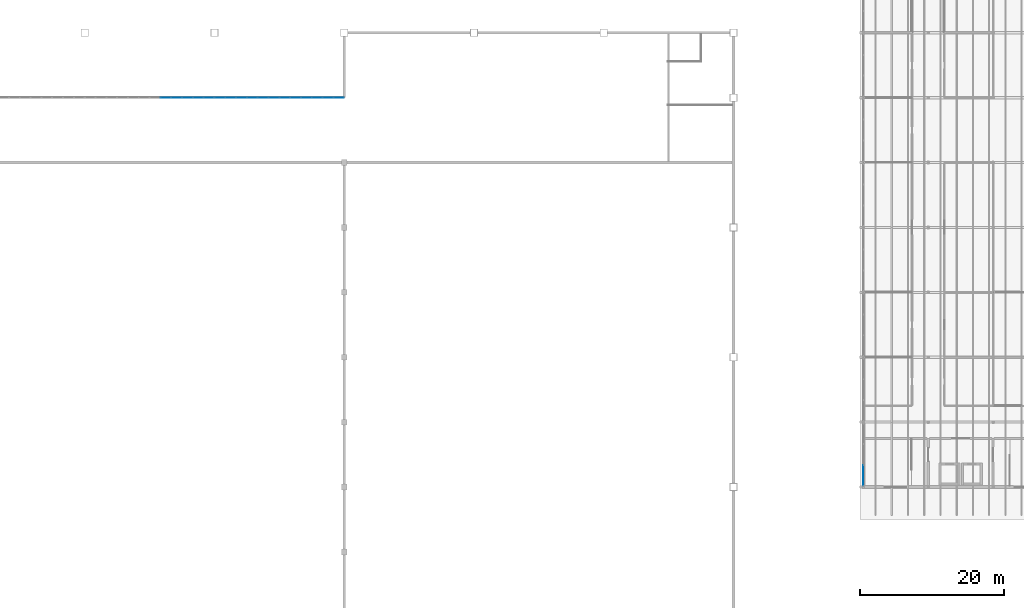
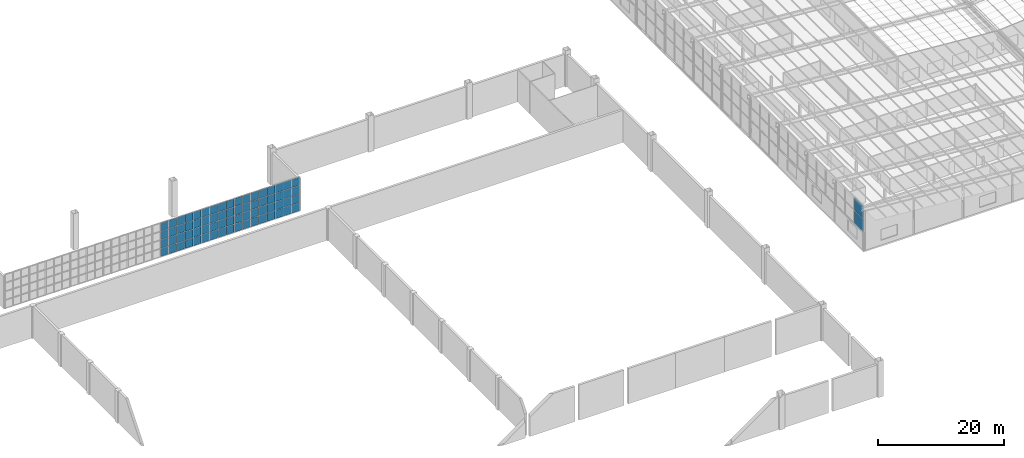
# One storey, part 65 of 85: 70 plates, 3 elements without a shape of their own.
"""IFC4 building model written with IfcOpenShell, lengths in metres."""

from ifc_helpers import new_model, si_unit, direction, frame, origin, origin_2d, place, context, subcontext, project, spatial, rectangle, extrude, material, layer, layer_set, type_object, element, aggregate, save


model = new_model("IFC4")

# Units and contexts
model_context = context("Model", 3, precision=1e-05, world=origin(), true_north=direction((0.0, 1.0)))
body_context = subcontext(model_context, "Body", "Model", "MODEL_VIEW")
ifc_project = project(units=[si_unit("LENGTHUNIT", "METRE"), si_unit("AREAUNIT", "SQUARE_METRE"), si_unit("VOLUMEUNIT", "CUBIC_METRE"), si_unit("PLANEANGLEUNIT", "RADIAN"), si_unit("MASSUNIT", "GRAM", prefix="KILO")], contexts=[model_context])

# Site, building, storey
site_placement = place(None, origin())
site = spatial("IfcSite", under=ifc_project, at=site_placement, CompositionType="ELEMENT")
building_placement = place(site_placement, origin())
building = spatial("IfcBuilding", under=site, at=building_placement, Name="Opaline Strait Convention Centre", CompositionType="ELEMENT")
storey_placement = place(building_placement, frame((0.0, 0.0, 17.0)))
storey = spatial("IfcBuildingStorey", under=building, at=storey_placement, Name="L03", CompositionType="ELEMENT", Elevation=17.0)

# Curtain wall, plates
ifc_material_1 = material(Name="Aluminium framed glazing", Category="aluminium")
ifc_layer_1 = layer(ifc_material_1, 0.199951171875)
ifc_layer_set_1 = layer_set([ifc_layer_1], Name="Aluminium framed glazing")
curtain_wall_type_1 = type_object("IfcCurtainWallType", Name="Entrance curtain wall 1500", PredefinedType="NOTDEFINED", material=ifc_layer_set_1)
curtain_wall_1_placement = place(storey_placement, origin())
curtain_wall_1 = element("IfcCurtainWall", 1, at=curtain_wall_1_placement, inside=storey, type_object=curtain_wall_type_1, Name="Entrance curtain wall L03-R2", PredefinedType="NOTDEFINED")
ifc_material_2 = material(Name="Double glazed unit low emissivity", Category="glass")
ifc_layer_2 = layer(ifc_material_2, 0.028076171875)
ifc_layer_set_2 = layer_set([ifc_layer_2], Name="Double glazed unit low emissivity")
plate_type = type_object("IfcPlateType", Name="Curtain wall glass panel 28", PredefinedType="CURTAIN_PANEL", material=ifc_layer_set_2)
plate_1_placement = place(storey_placement, frame((182.25, 144.0, 0.06005859375), z_axis=(0.0, 0.0, 1.0), x_axis=(1.0, 0.0, 0.0)))
plate_1 = element("IfcPlate", 2, at=plate_1_placement, type_object=plate_type, Name="XCW panel 8.1", PredefinedType="CURTAIN_PANEL", context=body_context, shape_type="SweptSolid", body=[
    extrude(rectangle(XDim=1.43994140625, YDim=0.028076171875, at=origin_2d()), origin(), (0.0, 0.0, 1.0), 1.570068359375),
])
plate_2_placement = place(storey_placement, frame((182.25, 144.0, 1.68994140625), z_axis=(0.0, 0.0, 1.0), x_axis=(1.0, 0.0, 0.0)))
plate_2 = element("IfcPlate", 3, at=plate_2_placement, type_object=plate_type, Name="XCW panel 8.2", PredefinedType="CURTAIN_PANEL", context=body_context, shape_type="SweptSolid", body=[
    extrude(rectangle(XDim=1.43994140625, YDim=0.028076171875, at=origin_2d()), origin(), (0.0, 0.0, 1.0), 1.60009765625),
])
plate_3_placement = place(storey_placement, frame((182.25, 144.0, 3.349853515625), z_axis=(0.0, 0.0, 1.0), x_axis=(1.0, 0.0, 0.0)))
plate_3 = element("IfcPlate", 4, at=plate_3_placement, type_object=plate_type, Name="XCW panel 8.3", PredefinedType="CURTAIN_PANEL", context=body_context, shape_type="SweptSolid", body=[
    extrude(rectangle(XDim=1.43994140625, YDim=0.028076171875, at=origin_2d()), origin(), (0.0, 0.0, 1.0), 1.60009765625),
])
plate_4_placement = place(storey_placement, frame((182.25, 144.0, 5.009765625), z_axis=(0.0, 0.0, 1.0), x_axis=(1.0, 0.0, 0.0)))
plate_4 = element("IfcPlate", 5, at=plate_4_placement, type_object=plate_type, Name="XCW panel 8.4", PredefinedType="CURTAIN_PANEL", context=body_context, shape_type="SweptSolid", body=[
    extrude(rectangle(XDim=1.43994140625, YDim=0.028076171875, at=origin_2d()), origin(), (0.0, 0.0, 1.0), 1.570068359375),
])
plate_5_placement = place(storey_placement, frame((183.75, 144.0, 0.06005859375), z_axis=(0.0, 0.0, 1.0), x_axis=(1.0, 0.0, 0.0)))
plate_5 = element("IfcPlate", 6, at=plate_5_placement, type_object=plate_type, Name="XCW panel 9.1", PredefinedType="CURTAIN_PANEL", context=body_context, shape_type="SweptSolid", body=[
    extrude(rectangle(XDim=1.43994140625, YDim=0.028076171875, at=origin_2d()), origin(), (0.0, 0.0, 1.0), 1.570068359375),
])
plate_6_placement = place(storey_placement, frame((183.75, 144.0, 1.68994140625), z_axis=(0.0, 0.0, 1.0), x_axis=(1.0, 0.0, 0.0)))
plate_6 = element("IfcPlate", 7, at=plate_6_placement, type_object=plate_type, Name="XCW panel 9.2", PredefinedType="CURTAIN_PANEL", context=body_context, shape_type="SweptSolid", body=[
    extrude(rectangle(XDim=1.43994140625, YDim=0.028076171875, at=origin_2d()), origin(), (0.0, 0.0, 1.0), 1.60009765625),
])
plate_7_placement = place(storey_placement, frame((183.75, 144.0, 3.349853515625), z_axis=(0.0, 0.0, 1.0), x_axis=(1.0, 0.0, 0.0)))
plate_7 = element("IfcPlate", 8, at=plate_7_placement, type_object=plate_type, Name="XCW panel 9.3", PredefinedType="CURTAIN_PANEL", context=body_context, shape_type="SweptSolid", body=[
    extrude(rectangle(XDim=1.43994140625, YDim=0.028076171875, at=origin_2d()), origin(), (0.0, 0.0, 1.0), 1.60009765625),
])
plate_8_placement = place(storey_placement, frame((183.75, 144.0, 5.009765625), z_axis=(0.0, 0.0, 1.0), x_axis=(1.0, 0.0, 0.0)))
plate_8 = element("IfcPlate", 9, at=plate_8_placement, type_object=plate_type, Name="XCW panel 9.4", PredefinedType="CURTAIN_PANEL", context=body_context, shape_type="SweptSolid", body=[
    extrude(rectangle(XDim=1.43994140625, YDim=0.028076171875, at=origin_2d()), origin(), (0.0, 0.0, 1.0), 1.570068359375),
])
plate_9_placement = place(storey_placement, frame((185.25, 144.0, 0.06005859375), z_axis=(0.0, 0.0, 1.0), x_axis=(1.0, 0.0, 0.0)))
plate_9 = element("IfcPlate", 10, at=plate_9_placement, type_object=plate_type, Name="XCW panel 10.1", PredefinedType="CURTAIN_PANEL", context=body_context, shape_type="SweptSolid", body=[
    extrude(rectangle(XDim=1.43994140625, YDim=0.028076171875, at=origin_2d()), origin(), (0.0, 0.0, 1.0), 1.570068359375),
])
plate_10_placement = place(storey_placement, frame((185.25, 144.0, 1.68994140625), z_axis=(0.0, 0.0, 1.0), x_axis=(1.0, 0.0, 0.0)))
plate_10 = element("IfcPlate", 11, at=plate_10_placement, type_object=plate_type, Name="XCW panel 10.2", PredefinedType="CURTAIN_PANEL", context=body_context, shape_type="SweptSolid", body=[
    extrude(rectangle(XDim=1.43994140625, YDim=0.028076171875, at=origin_2d()), origin(), (0.0, 0.0, 1.0), 1.60009765625),
])
plate_11_placement = place(storey_placement, frame((185.25, 144.0, 3.349853515625), z_axis=(0.0, 0.0, 1.0), x_axis=(1.0, 0.0, 0.0)))
plate_11 = element("IfcPlate", 12, at=plate_11_placement, type_object=plate_type, Name="XCW panel 10.3", PredefinedType="CURTAIN_PANEL", context=body_context, shape_type="SweptSolid", body=[
    extrude(rectangle(XDim=1.43994140625, YDim=0.028076171875, at=origin_2d()), origin(), (0.0, 0.0, 1.0), 1.60009765625),
])
plate_12_placement = place(storey_placement, frame((185.25, 144.0, 5.009765625), z_axis=(0.0, 0.0, 1.0), x_axis=(1.0, 0.0, 0.0)))
plate_12 = element("IfcPlate", 13, at=plate_12_placement, type_object=plate_type, Name="XCW panel 10.4", PredefinedType="CURTAIN_PANEL", context=body_context, shape_type="SweptSolid", body=[
    extrude(rectangle(XDim=1.43994140625, YDim=0.028076171875, at=origin_2d()), origin(), (0.0, 0.0, 1.0), 1.570068359375),
])
plate_13_placement = place(storey_placement, frame((186.75, 144.0, 0.06005859375), z_axis=(0.0, 0.0, 1.0), x_axis=(1.0, 0.0, 0.0)))
plate_13 = element("IfcPlate", 14, at=plate_13_placement, type_object=plate_type, Name="XCW panel 11.1", PredefinedType="CURTAIN_PANEL", context=body_context, shape_type="SweptSolid", body=[
    extrude(rectangle(XDim=1.43994140625, YDim=0.028076171875, at=origin_2d()), origin(), (0.0, 0.0, 1.0), 1.570068359375),
])
plate_14_placement = place(storey_placement, frame((186.75, 144.0, 1.68994140625), z_axis=(0.0, 0.0, 1.0), x_axis=(1.0, 0.0, 0.0)))
plate_14 = element("IfcPlate", 15, at=plate_14_placement, type_object=plate_type, Name="XCW panel 11.2", PredefinedType="CURTAIN_PANEL", context=body_context, shape_type="SweptSolid", body=[
    extrude(rectangle(XDim=1.43994140625, YDim=0.028076171875, at=origin_2d()), origin(), (0.0, 0.0, 1.0), 1.60009765625),
])
plate_15_placement = place(storey_placement, frame((186.75, 144.0, 3.349853515625), z_axis=(0.0, 0.0, 1.0), x_axis=(1.0, 0.0, 0.0)))
plate_15 = element("IfcPlate", 16, at=plate_15_placement, type_object=plate_type, Name="XCW panel 11.3", PredefinedType="CURTAIN_PANEL", context=body_context, shape_type="SweptSolid", body=[
    extrude(rectangle(XDim=1.43994140625, YDim=0.028076171875, at=origin_2d()), origin(), (0.0, 0.0, 1.0), 1.60009765625),
])
plate_16_placement = place(storey_placement, frame((186.75, 144.0, 5.009765625), z_axis=(0.0, 0.0, 1.0), x_axis=(1.0, 0.0, 0.0)))
plate_16 = element("IfcPlate", 17, at=plate_16_placement, type_object=plate_type, Name="XCW panel 11.4", PredefinedType="CURTAIN_PANEL", context=body_context, shape_type="SweptSolid", body=[
    extrude(rectangle(XDim=1.43994140625, YDim=0.028076171875, at=origin_2d()), origin(), (0.0, 0.0, 1.0), 1.570068359375),
])
plate_17_placement = place(storey_placement, frame((188.235107421875, 144.0, 0.06005859375), z_axis=(0.0, 0.0, 1.0), x_axis=(1.0, 0.0, 0.0)))
plate_17 = element("IfcPlate", 18, at=plate_17_placement, type_object=plate_type, Name="XCW panel 12.1", PredefinedType="CURTAIN_PANEL", context=body_context, shape_type="SweptSolid", body=[
    extrude(rectangle(XDim=1.409912109375, YDim=0.028076171875, at=origin_2d()), origin(), (0.0, 0.0, 1.0), 1.570068359375),
])
plate_18_placement = place(storey_placement, frame((188.235107421875, 144.0, 1.68994140625), z_axis=(0.0, 0.0, 1.0), x_axis=(1.0, 0.0, 0.0)))
plate_18 = element("IfcPlate", 19, at=plate_18_placement, type_object=plate_type, Name="XCW panel 12.2", PredefinedType="CURTAIN_PANEL", context=body_context, shape_type="SweptSolid", body=[
    extrude(rectangle(XDim=1.409912109375, YDim=0.028076171875, at=origin_2d()), origin(), (0.0, 0.0, 1.0), 1.60009765625),
])
plate_19_placement = place(storey_placement, frame((188.235107421875, 144.0, 3.349853515625), z_axis=(0.0, 0.0, 1.0), x_axis=(1.0, 0.0, 0.0)))
plate_19 = element("IfcPlate", 20, at=plate_19_placement, type_object=plate_type, Name="XCW panel 12.3", PredefinedType="CURTAIN_PANEL", context=body_context, shape_type="SweptSolid", body=[
    extrude(rectangle(XDim=1.409912109375, YDim=0.028076171875, at=origin_2d()), origin(), (0.0, 0.0, 1.0), 1.60009765625),
])
plate_20_placement = place(storey_placement, frame((188.235107421875, 144.0, 5.009765625), z_axis=(0.0, 0.0, 1.0), x_axis=(1.0, 0.0, 0.0)))
plate_20 = element("IfcPlate", 21, at=plate_20_placement, type_object=plate_type, Name="XCW panel 12.4", PredefinedType="CURTAIN_PANEL", context=body_context, shape_type="SweptSolid", body=[
    extrude(rectangle(XDim=1.409912109375, YDim=0.028076171875, at=origin_2d()), origin(), (0.0, 0.0, 1.0), 1.570068359375),
])
aggregate(curtain_wall_1, [plate_1, plate_2, plate_3, plate_4, plate_5, plate_6, plate_7, plate_8, plate_9, plate_10, plate_11, plate_12, plate_13, plate_14, plate_15, plate_16, plate_17, plate_18, plate_19, plate_20])

curtain_wall_2_placement = place(storey_placement, origin())
curtain_wall_2 = element("IfcCurtainWall", 22, at=curtain_wall_2_placement, inside=storey, type_object=curtain_wall_type_1, Name="Entrance curtain wall L03-R3", PredefinedType="NOTDEFINED")
plate_21_placement = place(storey_placement, frame((189.764892578125, 144.0, 0.06005859375), z_axis=(0.0, 0.0, 1.0), x_axis=(1.0, 0.0, 0.0)))
plate_21 = element("IfcPlate", 23, at=plate_21_placement, type_object=plate_type, Name="XCW panel 1.1", PredefinedType="CURTAIN_PANEL", context=body_context, shape_type="SweptSolid", body=[
    extrude(rectangle(XDim=1.409912109375, YDim=0.028076171875, at=origin_2d()), origin(), (0.0, 0.0, 1.0), 1.570068359375),
])
plate_22_placement = place(storey_placement, frame((189.764892578125, 144.0, 1.68994140625), z_axis=(0.0, 0.0, 1.0), x_axis=(1.0, 0.0, 0.0)))
plate_22 = element("IfcPlate", 24, at=plate_22_placement, type_object=plate_type, Name="XCW panel 1.2", PredefinedType="CURTAIN_PANEL", context=body_context, shape_type="SweptSolid", body=[
    extrude(rectangle(XDim=1.409912109375, YDim=0.028076171875, at=origin_2d()), origin(), (0.0, 0.0, 1.0), 1.60009765625),
])
plate_23_placement = place(storey_placement, frame((189.764892578125, 144.0, 3.349853515625), z_axis=(0.0, 0.0, 1.0), x_axis=(1.0, 0.0, 0.0)))
plate_23 = element("IfcPlate", 25, at=plate_23_placement, type_object=plate_type, Name="XCW panel 1.3", PredefinedType="CURTAIN_PANEL", context=body_context, shape_type="SweptSolid", body=[
    extrude(rectangle(XDim=1.409912109375, YDim=0.028076171875, at=origin_2d()), origin(), (0.0, 0.0, 1.0), 1.60009765625),
])
plate_24_placement = place(storey_placement, frame((189.764892578125, 144.0, 5.009765625), z_axis=(0.0, 0.0, 1.0), x_axis=(1.0, 0.0, 0.0)))
plate_24 = element("IfcPlate", 26, at=plate_24_placement, type_object=plate_type, Name="XCW panel 1.4", PredefinedType="CURTAIN_PANEL", context=body_context, shape_type="SweptSolid", body=[
    extrude(rectangle(XDim=1.409912109375, YDim=0.028076171875, at=origin_2d()), origin(), (0.0, 0.0, 1.0), 1.570068359375),
])
plate_25_placement = place(storey_placement, frame((191.25, 144.0, 0.06005859375), z_axis=(0.0, 0.0, 1.0), x_axis=(1.0, 0.0, 0.0)))
plate_25 = element("IfcPlate", 27, at=plate_25_placement, type_object=plate_type, Name="XCW panel 2.1", PredefinedType="CURTAIN_PANEL", context=body_context, shape_type="SweptSolid", body=[
    extrude(rectangle(XDim=1.43994140625, YDim=0.028076171875, at=origin_2d()), origin(), (0.0, 0.0, 1.0), 1.570068359375),
])
plate_26_placement = place(storey_placement, frame((191.25, 144.0, 1.68994140625), z_axis=(0.0, 0.0, 1.0), x_axis=(1.0, 0.0, 0.0)))
plate_26 = element("IfcPlate", 28, at=plate_26_placement, type_object=plate_type, Name="XCW panel 2.2", PredefinedType="CURTAIN_PANEL", context=body_context, shape_type="SweptSolid", body=[
    extrude(rectangle(XDim=1.43994140625, YDim=0.028076171875, at=origin_2d()), origin(), (0.0, 0.0, 1.0), 1.60009765625),
])
plate_27_placement = place(storey_placement, frame((191.25, 144.0, 3.349853515625), z_axis=(0.0, 0.0, 1.0), x_axis=(1.0, 0.0, 0.0)))
plate_27 = element("IfcPlate", 29, at=plate_27_placement, type_object=plate_type, Name="XCW panel 2.3", PredefinedType="CURTAIN_PANEL", context=body_context, shape_type="SweptSolid", body=[
    extrude(rectangle(XDim=1.43994140625, YDim=0.028076171875, at=origin_2d()), origin(), (0.0, 0.0, 1.0), 1.60009765625),
])
plate_28_placement = place(storey_placement, frame((191.25, 144.0, 5.009765625), z_axis=(0.0, 0.0, 1.0), x_axis=(1.0, 0.0, 0.0)))
plate_28 = element("IfcPlate", 30, at=plate_28_placement, type_object=plate_type, Name="XCW panel 2.4", PredefinedType="CURTAIN_PANEL", context=body_context, shape_type="SweptSolid", body=[
    extrude(rectangle(XDim=1.43994140625, YDim=0.028076171875, at=origin_2d()), origin(), (0.0, 0.0, 1.0), 1.570068359375),
])
plate_29_placement = place(storey_placement, frame((192.75, 144.0, 0.06005859375), z_axis=(0.0, 0.0, 1.0), x_axis=(1.0, 0.0, 0.0)))
plate_29 = element("IfcPlate", 31, at=plate_29_placement, type_object=plate_type, Name="XCW panel 3.1", PredefinedType="CURTAIN_PANEL", context=body_context, shape_type="SweptSolid", body=[
    extrude(rectangle(XDim=1.43994140625, YDim=0.028076171875, at=origin_2d()), origin(), (0.0, 0.0, 1.0), 1.570068359375),
])
plate_30_placement = place(storey_placement, frame((192.75, 144.0, 1.68994140625), z_axis=(0.0, 0.0, 1.0), x_axis=(1.0, 0.0, 0.0)))
plate_30 = element("IfcPlate", 32, at=plate_30_placement, type_object=plate_type, Name="XCW panel 3.2", PredefinedType="CURTAIN_PANEL", context=body_context, shape_type="SweptSolid", body=[
    extrude(rectangle(XDim=1.43994140625, YDim=0.028076171875, at=origin_2d()), origin(), (0.0, 0.0, 1.0), 1.60009765625),
])
plate_31_placement = place(storey_placement, frame((192.75, 144.0, 3.349853515625), z_axis=(0.0, 0.0, 1.0), x_axis=(1.0, 0.0, 0.0)))
plate_31 = element("IfcPlate", 33, at=plate_31_placement, type_object=plate_type, Name="XCW panel 3.3", PredefinedType="CURTAIN_PANEL", context=body_context, shape_type="SweptSolid", body=[
    extrude(rectangle(XDim=1.43994140625, YDim=0.028076171875, at=origin_2d()), origin(), (0.0, 0.0, 1.0), 1.60009765625),
])
plate_32_placement = place(storey_placement, frame((192.75, 144.0, 5.009765625), z_axis=(0.0, 0.0, 1.0), x_axis=(1.0, 0.0, 0.0)))
plate_32 = element("IfcPlate", 34, at=plate_32_placement, type_object=plate_type, Name="XCW panel 3.4", PredefinedType="CURTAIN_PANEL", context=body_context, shape_type="SweptSolid", body=[
    extrude(rectangle(XDim=1.43994140625, YDim=0.028076171875, at=origin_2d()), origin(), (0.0, 0.0, 1.0), 1.570068359375),
])
plate_33_placement = place(storey_placement, frame((194.25, 144.0, 0.06005859375), z_axis=(0.0, 0.0, 1.0), x_axis=(1.0, 0.0, 0.0)))
plate_33 = element("IfcPlate", 35, at=plate_33_placement, type_object=plate_type, Name="XCW panel 4.1", PredefinedType="CURTAIN_PANEL", context=body_context, shape_type="SweptSolid", body=[
    extrude(rectangle(XDim=1.43994140625, YDim=0.028076171875, at=origin_2d()), origin(), (0.0, 0.0, 1.0), 1.570068359375),
])
plate_34_placement = place(storey_placement, frame((194.25, 144.0, 1.68994140625), z_axis=(0.0, 0.0, 1.0), x_axis=(1.0, 0.0, 0.0)))
plate_34 = element("IfcPlate", 36, at=plate_34_placement, type_object=plate_type, Name="XCW panel 4.2", PredefinedType="CURTAIN_PANEL", context=body_context, shape_type="SweptSolid", body=[
    extrude(rectangle(XDim=1.43994140625, YDim=0.028076171875, at=origin_2d()), origin(), (0.0, 0.0, 1.0), 1.60009765625),
])
plate_35_placement = place(storey_placement, frame((194.25, 144.0, 3.349853515625), z_axis=(0.0, 0.0, 1.0), x_axis=(1.0, 0.0, 0.0)))
plate_35 = element("IfcPlate", 37, at=plate_35_placement, type_object=plate_type, Name="XCW panel 4.3", PredefinedType="CURTAIN_PANEL", context=body_context, shape_type="SweptSolid", body=[
    extrude(rectangle(XDim=1.43994140625, YDim=0.028076171875, at=origin_2d()), origin(), (0.0, 0.0, 1.0), 1.60009765625),
])
plate_36_placement = place(storey_placement, frame((194.25, 144.0, 5.009765625), z_axis=(0.0, 0.0, 1.0), x_axis=(1.0, 0.0, 0.0)))
plate_36 = element("IfcPlate", 38, at=plate_36_placement, type_object=plate_type, Name="XCW panel 4.4", PredefinedType="CURTAIN_PANEL", context=body_context, shape_type="SweptSolid", body=[
    extrude(rectangle(XDim=1.43994140625, YDim=0.028076171875, at=origin_2d()), origin(), (0.0, 0.0, 1.0), 1.570068359375),
])
plate_37_placement = place(storey_placement, frame((195.75, 144.0, 0.06005859375), z_axis=(0.0, 0.0, 1.0), x_axis=(1.0, 0.0, 0.0)))
plate_37 = element("IfcPlate", 39, at=plate_37_placement, type_object=plate_type, Name="XCW panel 5.1", PredefinedType="CURTAIN_PANEL", context=body_context, shape_type="SweptSolid", body=[
    extrude(rectangle(XDim=1.43994140625, YDim=0.028076171875, at=origin_2d()), origin(), (0.0, 0.0, 1.0), 1.570068359375),
])
plate_38_placement = place(storey_placement, frame((195.75, 144.0, 1.68994140625), z_axis=(0.0, 0.0, 1.0), x_axis=(1.0, 0.0, 0.0)))
plate_38 = element("IfcPlate", 40, at=plate_38_placement, type_object=plate_type, Name="XCW panel 5.2", PredefinedType="CURTAIN_PANEL", context=body_context, shape_type="SweptSolid", body=[
    extrude(rectangle(XDim=1.43994140625, YDim=0.028076171875, at=origin_2d()), origin(), (0.0, 0.0, 1.0), 1.60009765625),
])
plate_39_placement = place(storey_placement, frame((195.75, 144.0, 3.349853515625), z_axis=(0.0, 0.0, 1.0), x_axis=(1.0, 0.0, 0.0)))
plate_39 = element("IfcPlate", 41, at=plate_39_placement, type_object=plate_type, Name="XCW panel 5.3", PredefinedType="CURTAIN_PANEL", context=body_context, shape_type="SweptSolid", body=[
    extrude(rectangle(XDim=1.43994140625, YDim=0.028076171875, at=origin_2d()), origin(), (0.0, 0.0, 1.0), 1.60009765625),
])
plate_40_placement = place(storey_placement, frame((195.75, 144.0, 5.009765625), z_axis=(0.0, 0.0, 1.0), x_axis=(1.0, 0.0, 0.0)))
plate_40 = element("IfcPlate", 42, at=plate_40_placement, type_object=plate_type, Name="XCW panel 5.4", PredefinedType="CURTAIN_PANEL", context=body_context, shape_type="SweptSolid", body=[
    extrude(rectangle(XDim=1.43994140625, YDim=0.028076171875, at=origin_2d()), origin(), (0.0, 0.0, 1.0), 1.570068359375),
])
plate_41_placement = place(storey_placement, frame((197.25, 144.0, 0.06005859375), z_axis=(0.0, 0.0, 1.0), x_axis=(1.0, 0.0, 0.0)))
plate_41 = element("IfcPlate", 43, at=plate_41_placement, type_object=plate_type, Name="XCW panel 6.1", PredefinedType="CURTAIN_PANEL", context=body_context, shape_type="SweptSolid", body=[
    extrude(rectangle(XDim=1.43994140625, YDim=0.028076171875, at=origin_2d()), origin(), (0.0, 0.0, 1.0), 1.570068359375),
])
plate_42_placement = place(storey_placement, frame((197.25, 144.0, 1.68994140625), z_axis=(0.0, 0.0, 1.0), x_axis=(1.0, 0.0, 0.0)))
plate_42 = element("IfcPlate", 44, at=plate_42_placement, type_object=plate_type, Name="XCW panel 6.2", PredefinedType="CURTAIN_PANEL", context=body_context, shape_type="SweptSolid", body=[
    extrude(rectangle(XDim=1.43994140625, YDim=0.028076171875, at=origin_2d()), origin(), (0.0, 0.0, 1.0), 1.60009765625),
])
plate_43_placement = place(storey_placement, frame((197.25, 144.0, 3.349853515625), z_axis=(0.0, 0.0, 1.0), x_axis=(1.0, 0.0, 0.0)))
plate_43 = element("IfcPlate", 45, at=plate_43_placement, type_object=plate_type, Name="XCW panel 6.3", PredefinedType="CURTAIN_PANEL", context=body_context, shape_type="SweptSolid", body=[
    extrude(rectangle(XDim=1.43994140625, YDim=0.028076171875, at=origin_2d()), origin(), (0.0, 0.0, 1.0), 1.60009765625),
])
plate_44_placement = place(storey_placement, frame((197.25, 144.0, 5.009765625), z_axis=(0.0, 0.0, 1.0), x_axis=(1.0, 0.0, 0.0)))
plate_44 = element("IfcPlate", 46, at=plate_44_placement, type_object=plate_type, Name="XCW panel 6.4", PredefinedType="CURTAIN_PANEL", context=body_context, shape_type="SweptSolid", body=[
    extrude(rectangle(XDim=1.43994140625, YDim=0.028076171875, at=origin_2d()), origin(), (0.0, 0.0, 1.0), 1.570068359375),
])
plate_45_placement = place(storey_placement, frame((198.75, 144.0, 0.06005859375), z_axis=(0.0, 0.0, 1.0), x_axis=(1.0, 0.0, 0.0)))
plate_45 = element("IfcPlate", 47, at=plate_45_placement, type_object=plate_type, Name="XCW panel 7.1", PredefinedType="CURTAIN_PANEL", context=body_context, shape_type="SweptSolid", body=[
    extrude(rectangle(XDim=1.43994140625, YDim=0.028076171875, at=origin_2d()), origin(), (0.0, 0.0, 1.0), 1.570068359375),
])
plate_46_placement = place(storey_placement, frame((198.75, 144.0, 1.68994140625), z_axis=(0.0, 0.0, 1.0), x_axis=(1.0, 0.0, 0.0)))
plate_46 = element("IfcPlate", 48, at=plate_46_placement, type_object=plate_type, Name="XCW panel 7.2", PredefinedType="CURTAIN_PANEL", context=body_context, shape_type="SweptSolid", body=[
    extrude(rectangle(XDim=1.43994140625, YDim=0.028076171875, at=origin_2d()), origin(), (0.0, 0.0, 1.0), 1.60009765625),
])
plate_47_placement = place(storey_placement, frame((198.75, 144.0, 3.349853515625), z_axis=(0.0, 0.0, 1.0), x_axis=(1.0, 0.0, 0.0)))
plate_47 = element("IfcPlate", 49, at=plate_47_placement, type_object=plate_type, Name="XCW panel 7.3", PredefinedType="CURTAIN_PANEL", context=body_context, shape_type="SweptSolid", body=[
    extrude(rectangle(XDim=1.43994140625, YDim=0.028076171875, at=origin_2d()), origin(), (0.0, 0.0, 1.0), 1.60009765625),
])
plate_48_placement = place(storey_placement, frame((198.75, 144.0, 5.009765625), z_axis=(0.0, 0.0, 1.0), x_axis=(1.0, 0.0, 0.0)))
plate_48 = element("IfcPlate", 50, at=plate_48_placement, type_object=plate_type, Name="XCW panel 7.4", PredefinedType="CURTAIN_PANEL", context=body_context, shape_type="SweptSolid", body=[
    extrude(rectangle(XDim=1.43994140625, YDim=0.028076171875, at=origin_2d()), origin(), (0.0, 0.0, 1.0), 1.570068359375),
])
plate_49_placement = place(storey_placement, frame((200.25, 144.0, 0.06005859375), z_axis=(0.0, 0.0, 1.0), x_axis=(1.0, 0.0, 0.0)))
plate_49 = element("IfcPlate", 51, at=plate_49_placement, type_object=plate_type, Name="XCW panel 8.1", PredefinedType="CURTAIN_PANEL", context=body_context, shape_type="SweptSolid", body=[
    extrude(rectangle(XDim=1.43994140625, YDim=0.028076171875, at=origin_2d()), origin(), (0.0, 0.0, 1.0), 1.570068359375),
])
plate_50_placement = place(storey_placement, frame((200.25, 144.0, 1.68994140625), z_axis=(0.0, 0.0, 1.0), x_axis=(1.0, 0.0, 0.0)))
plate_50 = element("IfcPlate", 52, at=plate_50_placement, type_object=plate_type, Name="XCW panel 8.2", PredefinedType="CURTAIN_PANEL", context=body_context, shape_type="SweptSolid", body=[
    extrude(rectangle(XDim=1.43994140625, YDim=0.028076171875, at=origin_2d()), origin(), (0.0, 0.0, 1.0), 1.60009765625),
])
plate_51_placement = place(storey_placement, frame((200.25, 144.0, 3.349853515625), z_axis=(0.0, 0.0, 1.0), x_axis=(1.0, 0.0, 0.0)))
plate_51 = element("IfcPlate", 53, at=plate_51_placement, type_object=plate_type, Name="XCW panel 8.3", PredefinedType="CURTAIN_PANEL", context=body_context, shape_type="SweptSolid", body=[
    extrude(rectangle(XDim=1.43994140625, YDim=0.028076171875, at=origin_2d()), origin(), (0.0, 0.0, 1.0), 1.60009765625),
])
plate_52_placement = place(storey_placement, frame((200.25, 144.0, 5.009765625), z_axis=(0.0, 0.0, 1.0), x_axis=(1.0, 0.0, 0.0)))
plate_52 = element("IfcPlate", 54, at=plate_52_placement, type_object=plate_type, Name="XCW panel 8.4", PredefinedType="CURTAIN_PANEL", context=body_context, shape_type="SweptSolid", body=[
    extrude(rectangle(XDim=1.43994140625, YDim=0.028076171875, at=origin_2d()), origin(), (0.0, 0.0, 1.0), 1.570068359375),
])
plate_53_placement = place(storey_placement, frame((201.75, 144.0, 0.06005859375), z_axis=(0.0, 0.0, 1.0), x_axis=(1.0, 0.0, 0.0)))
plate_53 = element("IfcPlate", 55, at=plate_53_placement, type_object=plate_type, Name="XCW panel 9.1", PredefinedType="CURTAIN_PANEL", context=body_context, shape_type="SweptSolid", body=[
    extrude(rectangle(XDim=1.43994140625, YDim=0.028076171875, at=origin_2d()), origin(), (0.0, 0.0, 1.0), 1.570068359375),
])
plate_54_placement = place(storey_placement, frame((201.75, 144.0, 1.68994140625), z_axis=(0.0, 0.0, 1.0), x_axis=(1.0, 0.0, 0.0)))
plate_54 = element("IfcPlate", 56, at=plate_54_placement, type_object=plate_type, Name="XCW panel 9.2", PredefinedType="CURTAIN_PANEL", context=body_context, shape_type="SweptSolid", body=[
    extrude(rectangle(XDim=1.43994140625, YDim=0.028076171875, at=origin_2d()), origin(), (0.0, 0.0, 1.0), 1.60009765625),
])
plate_55_placement = place(storey_placement, frame((201.75, 144.0, 3.349853515625), z_axis=(0.0, 0.0, 1.0), x_axis=(1.0, 0.0, 0.0)))
plate_55 = element("IfcPlate", 57, at=plate_55_placement, type_object=plate_type, Name="XCW panel 9.3", PredefinedType="CURTAIN_PANEL", context=body_context, shape_type="SweptSolid", body=[
    extrude(rectangle(XDim=1.43994140625, YDim=0.028076171875, at=origin_2d()), origin(), (0.0, 0.0, 1.0), 1.60009765625),
])
plate_56_placement = place(storey_placement, frame((201.75, 144.0, 5.009765625), z_axis=(0.0, 0.0, 1.0), x_axis=(1.0, 0.0, 0.0)))
plate_56 = element("IfcPlate", 58, at=plate_56_placement, type_object=plate_type, Name="XCW panel 9.4", PredefinedType="CURTAIN_PANEL", context=body_context, shape_type="SweptSolid", body=[
    extrude(rectangle(XDim=1.43994140625, YDim=0.028076171875, at=origin_2d()), origin(), (0.0, 0.0, 1.0), 1.570068359375),
])
plate_57_placement = place(storey_placement, frame((203.25, 144.0, 0.06005859375), z_axis=(0.0, 0.0, 1.0), x_axis=(1.0, 0.0, 0.0)))
plate_57 = element("IfcPlate", 59, at=plate_57_placement, type_object=plate_type, Name="XCW panel 10.1", PredefinedType="CURTAIN_PANEL", context=body_context, shape_type="SweptSolid", body=[
    extrude(rectangle(XDim=1.43994140625, YDim=0.028076171875, at=origin_2d()), origin(), (0.0, 0.0, 1.0), 1.570068359375),
])
plate_58_placement = place(storey_placement, frame((203.25, 144.0, 1.68994140625), z_axis=(0.0, 0.0, 1.0), x_axis=(1.0, 0.0, 0.0)))
plate_58 = element("IfcPlate", 60, at=plate_58_placement, type_object=plate_type, Name="XCW panel 10.2", PredefinedType="CURTAIN_PANEL", context=body_context, shape_type="SweptSolid", body=[
    extrude(rectangle(XDim=1.43994140625, YDim=0.028076171875, at=origin_2d()), origin(), (0.0, 0.0, 1.0), 1.60009765625),
])
plate_59_placement = place(storey_placement, frame((203.25, 144.0, 3.349853515625), z_axis=(0.0, 0.0, 1.0), x_axis=(1.0, 0.0, 0.0)))
plate_59 = element("IfcPlate", 61, at=plate_59_placement, type_object=plate_type, Name="XCW panel 10.3", PredefinedType="CURTAIN_PANEL", context=body_context, shape_type="SweptSolid", body=[
    extrude(rectangle(XDim=1.43994140625, YDim=0.028076171875, at=origin_2d()), origin(), (0.0, 0.0, 1.0), 1.60009765625),
])
plate_60_placement = place(storey_placement, frame((203.25, 144.0, 5.009765625), z_axis=(0.0, 0.0, 1.0), x_axis=(1.0, 0.0, 0.0)))
plate_60 = element("IfcPlate", 62, at=plate_60_placement, type_object=plate_type, Name="XCW panel 10.4", PredefinedType="CURTAIN_PANEL", context=body_context, shape_type="SweptSolid", body=[
    extrude(rectangle(XDim=1.43994140625, YDim=0.028076171875, at=origin_2d()), origin(), (0.0, 0.0, 1.0), 1.570068359375),
])
plate_61_placement = place(storey_placement, frame((204.75, 144.0, 0.06005859375), z_axis=(0.0, 0.0, 1.0), x_axis=(1.0, 0.0, 0.0)))
plate_61 = element("IfcPlate", 63, at=plate_61_placement, type_object=plate_type, Name="XCW panel 11.1", PredefinedType="CURTAIN_PANEL", context=body_context, shape_type="SweptSolid", body=[
    extrude(rectangle(XDim=1.43994140625, YDim=0.028076171875, at=origin_2d()), origin(), (0.0, 0.0, 1.0), 1.570068359375),
])
plate_62_placement = place(storey_placement, frame((204.75, 144.0, 1.68994140625), z_axis=(0.0, 0.0, 1.0), x_axis=(1.0, 0.0, 0.0)))
plate_62 = element("IfcPlate", 64, at=plate_62_placement, type_object=plate_type, Name="XCW panel 11.2", PredefinedType="CURTAIN_PANEL", context=body_context, shape_type="SweptSolid", body=[
    extrude(rectangle(XDim=1.43994140625, YDim=0.028076171875, at=origin_2d()), origin(), (0.0, 0.0, 1.0), 1.60009765625),
])
plate_63_placement = place(storey_placement, frame((204.75, 144.0, 3.349853515625), z_axis=(0.0, 0.0, 1.0), x_axis=(1.0, 0.0, 0.0)))
plate_63 = element("IfcPlate", 65, at=plate_63_placement, type_object=plate_type, Name="XCW panel 11.3", PredefinedType="CURTAIN_PANEL", context=body_context, shape_type="SweptSolid", body=[
    extrude(rectangle(XDim=1.43994140625, YDim=0.028076171875, at=origin_2d()), origin(), (0.0, 0.0, 1.0), 1.60009765625),
])
plate_64_placement = place(storey_placement, frame((204.75, 144.0, 5.009765625), z_axis=(0.0, 0.0, 1.0), x_axis=(1.0, 0.0, 0.0)))
plate_64 = element("IfcPlate", 66, at=plate_64_placement, type_object=plate_type, Name="XCW panel 11.4", PredefinedType="CURTAIN_PANEL", context=body_context, shape_type="SweptSolid", body=[
    extrude(rectangle(XDim=1.43994140625, YDim=0.028076171875, at=origin_2d()), origin(), (0.0, 0.0, 1.0), 1.570068359375),
])
plate_65_placement = place(storey_placement, frame((206.235107421875, 144.0, 0.06005859375), z_axis=(0.0, 0.0, 1.0), x_axis=(1.0, 0.0, 0.0)))
plate_65 = element("IfcPlate", 67, at=plate_65_placement, type_object=plate_type, Name="XCW panel 12.1", PredefinedType="CURTAIN_PANEL", context=body_context, shape_type="SweptSolid", body=[
    extrude(rectangle(XDim=1.409912109375, YDim=0.028076171875, at=origin_2d()), origin(), (0.0, 0.0, 1.0), 1.570068359375),
])
plate_66_placement = place(storey_placement, frame((206.235107421875, 144.0, 1.68994140625), z_axis=(0.0, 0.0, 1.0), x_axis=(1.0, 0.0, 0.0)))
plate_66 = element("IfcPlate", 68, at=plate_66_placement, type_object=plate_type, Name="XCW panel 12.2", PredefinedType="CURTAIN_PANEL", context=body_context, shape_type="SweptSolid", body=[
    extrude(rectangle(XDim=1.409912109375, YDim=0.028076171875, at=origin_2d()), origin(), (0.0, 0.0, 1.0), 1.60009765625),
])
plate_67_placement = place(storey_placement, frame((206.235107421875, 144.0, 3.349853515625), z_axis=(0.0, 0.0, 1.0), x_axis=(1.0, 0.0, 0.0)))
plate_67 = element("IfcPlate", 69, at=plate_67_placement, type_object=plate_type, Name="XCW panel 12.3", PredefinedType="CURTAIN_PANEL", context=body_context, shape_type="SweptSolid", body=[
    extrude(rectangle(XDim=1.409912109375, YDim=0.028076171875, at=origin_2d()), origin(), (0.0, 0.0, 1.0), 1.60009765625),
])
plate_68_placement = place(storey_placement, frame((206.235107421875, 144.0, 5.009765625), z_axis=(0.0, 0.0, 1.0), x_axis=(1.0, 0.0, 0.0)))
plate_68 = element("IfcPlate", 70, at=plate_68_placement, type_object=plate_type, Name="XCW panel 12.4", PredefinedType="CURTAIN_PANEL", context=body_context, shape_type="SweptSolid", body=[
    extrude(rectangle(XDim=1.409912109375, YDim=0.028076171875, at=origin_2d()), origin(), (0.0, 0.0, 1.0), 1.570068359375),
])
aggregate(curtain_wall_2, [plate_21, plate_22, plate_23, plate_24, plate_25, plate_26, plate_27, plate_28, plate_29, plate_30, plate_31, plate_32, plate_33, plate_34, plate_35, plate_36, plate_37, plate_38, plate_39, plate_40, plate_41, plate_42, plate_43, plate_44, plate_45, plate_46, plate_47, plate_48, plate_49, plate_50, plate_51, plate_52, plate_53, plate_54, plate_55, plate_56, plate_57, plate_58, plate_59, plate_60, plate_61, plate_62, plate_63, plate_64, plate_65, plate_66, plate_67, plate_68])

ifc_material_3 = material(Name="Aluminium framed double glazing", Category="aluminium")
ifc_layer_3 = layer(ifc_material_3, 0.199951171875)
ifc_layer_set_3 = layer_set([ifc_layer_3], Name="Aluminium framed double glazing")
curtain_wall_type_2 = type_object("IfcCurtainWallType", Name="Curtain wall 3000 module unitised", PredefinedType="NOTDEFINED", material=ifc_layer_set_3)
curtain_wall_3_placement = place(storey_placement, origin())
curtain_wall_3 = element("IfcCurtainWall", 71, at=curtain_wall_3_placement, inside=storey, type_object=curtain_wall_type_2, Name="Clerestory curtain wall W L03 32/L", PredefinedType="NOTDEFINED")
plate_69_placement = place(storey_placement, frame((279.0, 91.614990234375, 3.35986328125), z_axis=(0.0, 0.0, 1.0), x_axis=(0.0, 1.0, 0.0)))
plate_69 = element("IfcPlate", 72, at=plate_69_placement, type_object=plate_type, Name="MCWR1 panel 1.1", PredefinedType="CURTAIN_PANEL", context=body_context, shape_type="SweptSolid", body=[
    extrude(rectangle(XDim=2.81005859375, YDim=0.028076171875, at=origin_2d()), origin(), (0.0, 0.0, 1.0), 2.482177734375),
])
plate_70_placement = place(storey_placement, frame((279.0, 91.614990234375, 5.90234375), z_axis=(0.0, 0.0, 1.0), x_axis=(0.0, 1.0, 0.0)))
plate_70 = element("IfcPlate", 73, at=plate_70_placement, type_object=plate_type, Name="MCWR1 panel 1.2", PredefinedType="CURTAIN_PANEL", context=body_context, shape_type="SweptSolid", body=[
    extrude(rectangle(XDim=2.81005859375, YDim=0.028076171875, at=origin_2d()), origin(), (0.0, 0.0, 1.0), 2.482177734375),
])
aggregate(curtain_wall_3, [plate_69, plate_70])

save(model, "model.ifc")
